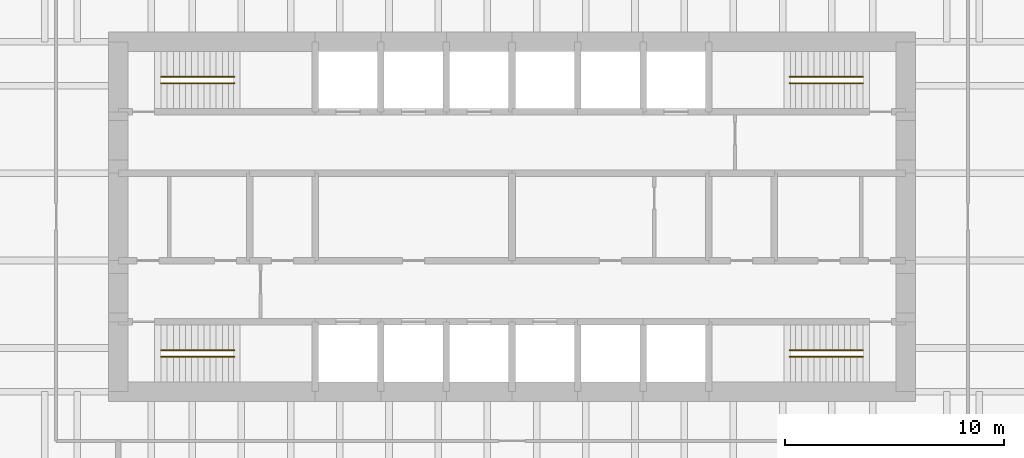
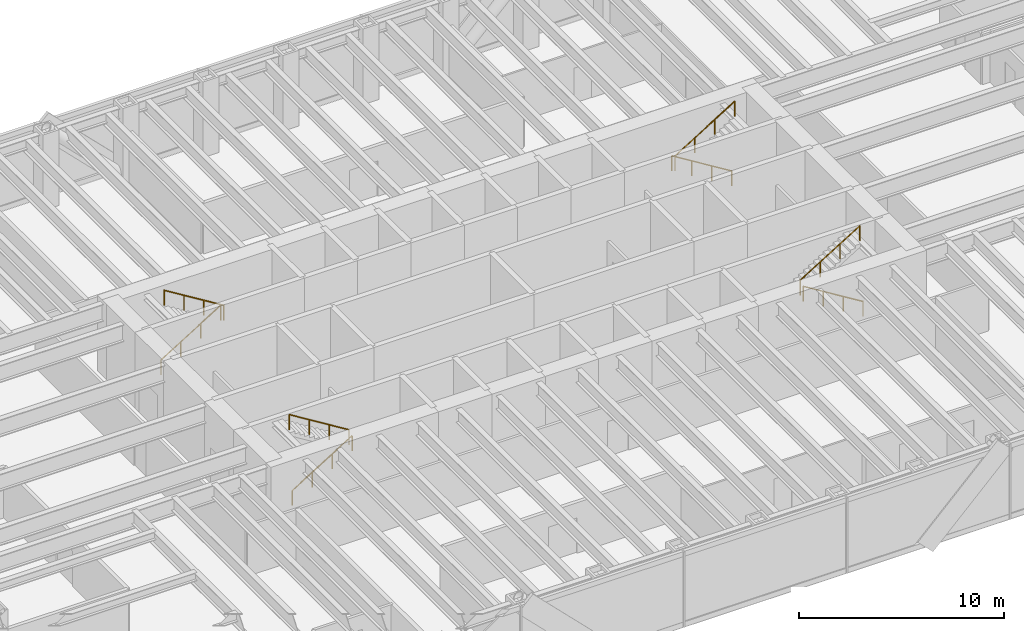
# One storey, part 13 of 13: 8 railings.
"""IFC4 building model written with IfcOpenShell, lengths in metres."""

from ifc_helpers import new_model, si_unit, direction, frame, origin, origin_2d, place, context, subcontext, project, spatial, circle, extrude, material, type_object, element, save


model = new_model("IFC4")

# Units and contexts
model_context = context("Model", 3, precision=1e-05, world=origin(), true_north=direction((0.0, 1.0)))
body_context = subcontext(model_context, "Body", "Model", "MODEL_VIEW")
ifc_project = project(units=[si_unit("LENGTHUNIT", "METRE"), si_unit("AREAUNIT", "SQUARE_METRE"), si_unit("VOLUMEUNIT", "CUBIC_METRE"), si_unit("PLANEANGLEUNIT", "RADIAN"), si_unit("MASSUNIT", "GRAM", prefix="KILO")], contexts=[model_context])

# Site, building, storey
site_placement = place(None, origin())
site = spatial("IfcSite", under=ifc_project, at=site_placement, CompositionType="ELEMENT")
building_placement = place(site_placement, origin())
building = spatial("IfcBuilding", under=site, at=building_placement, Name="Rheinbord Bourse Tower", CompositionType="ELEMENT")
storey_placement = place(building_placement, frame((0.0, 0.0, 72.5)))
storey = spatial("IfcBuildingStorey", under=building, at=storey_placement, Name="L15", CompositionType="ELEMENT", Elevation=72.5)

# Railings
ifc_material = material(Name="Steel handrail", Category="steel")
railing_type = type_object("IfcRailingType", Name="HANDRAIL 900", PredefinedType="HANDRAIL", material=ifc_material)
railing_1_placement = place(storey_placement, frame((19.949951171875, 17.60009765625, 0.173095703125)))
element("IfcRailing", 1, at=railing_1_placement, inside=storey, type_object=railing_type, Name="Handrail", PredefinedType="HANDRAIL", context=body_context, shape_type="SweptSolid", body=[
    extrude(circle(Radius=0.02392578125, at=origin_2d()), frame((0.0, 0.0, 0.8759765625), z_axis=(0.850623216509, 0.0, 0.525775754039), x_axis=(0.0, 1.0, 0.0)), (0.0, 0.0, 1.0), 3.9501953125),
    extrude(circle(Radius=0.02099609375, at=origin_2d()), origin(), (0.0, 0.0, 1.0), 0.851806640625),
    extrude(circle(Radius=0.02099609375, at=origin_2d()), frame((1.1201171875, 0.0, 0.6923828125)), (0.0, 0.0, 1.0), 0.851806640625),
    extrude(circle(Radius=0.02099609375, at=origin_2d()), frame((2.239990234375, 0.0, 1.384521484375)), (0.0, 0.0, 1.0), 0.851806640625),
    extrude(circle(Radius=0.02099609375, at=origin_2d()), frame((3.360107421875, 0.0, 2.076904296875)), (0.0, 0.0, 1.0), 0.851806640625),
])
railing_2_placement = place(storey_placement, frame((23.31005859375, 17.89990234375, 2.423095703125)))
element("IfcRailing", 2, at=railing_2_placement, inside=storey, type_object=railing_type, Name="Handrail", PredefinedType="HANDRAIL", context=body_context, shape_type="SweptSolid", body=[
    extrude(circle(Radius=0.02392578125, at=origin_2d()), frame((0.0, 0.0, 0.8759765625), z_axis=(-0.850623216509, 0.0, 0.525775754039), x_axis=(0.0, -1.0, 0.0)), (0.0, 0.0, 1.0), 3.9501953125),
    extrude(circle(Radius=0.02099609375, at=origin_2d()), origin(), (0.0, 0.0, 1.0), 0.851806640625),
    extrude(circle(Radius=0.02099609375, at=origin_2d()), frame((-1.1201171875, 0.0, 0.6923828125)), (0.0, 0.0, 1.0), 0.851806640625),
    extrude(circle(Radius=0.02099609375, at=origin_2d()), frame((-2.239990234375, 0.0, 1.384521484375)), (0.0, 0.0, 1.0), 0.851806640625),
    extrude(circle(Radius=0.02099609375, at=origin_2d()), frame((-3.360107421875, 0.0, 2.076904296875)), (0.0, 0.0, 1.0), 0.851806640625),
])
railing_3_placement = place(storey_placement, frame((19.949951171875, 30.39990234375, 0.173095703125)))
element("IfcRailing", 3, at=railing_3_placement, inside=storey, type_object=railing_type, Name="Handrail", PredefinedType="HANDRAIL", context=body_context, shape_type="SweptSolid", body=[
    extrude(circle(Radius=0.02392578125, at=origin_2d()), frame((0.0, 0.0, 0.8759765625), z_axis=(0.850623216509, 0.0, 0.525775754039), x_axis=(0.0, 1.0, 0.0)), (0.0, 0.0, 1.0), 3.9501953125),
    extrude(circle(Radius=0.02099609375, at=origin_2d()), origin(), (0.0, 0.0, 1.0), 0.851806640625),
    extrude(circle(Radius=0.02099609375, at=origin_2d()), frame((1.1201171875, 0.0, 0.6923828125)), (0.0, 0.0, 1.0), 0.851806640625),
    extrude(circle(Radius=0.02099609375, at=origin_2d()), frame((2.239990234375, 0.0, 1.384521484375)), (0.0, 0.0, 1.0), 0.851806640625),
    extrude(circle(Radius=0.02099609375, at=origin_2d()), frame((3.360107421875, 0.0, 2.076904296875)), (0.0, 0.0, 1.0), 0.851806640625),
])
for number, where, name in (
    (4, (23.31005859375, 30.10009765625, 2.423095703125), "Handrail"),
    (5, (52.050048828125, 17.60009765625, 0.173095703125), "Handrail"),
):
    element("IfcRailing", number, at=place(storey_placement, frame(where)), inside=storey, type_object=railing_type, Name=name, PredefinedType="HANDRAIL", context=body_context, shape_type="SweptSolid", body=[
        extrude(circle(Radius=0.02392578125, at=origin_2d()), frame((0.0, 0.0, 0.8759765625), z_axis=(-0.850623216509, 0.0, 0.525775754039), x_axis=(0.0, -1.0, 0.0)), (0.0, 0.0, 1.0), 3.9501953125),
        extrude(circle(Radius=0.02099609375, at=origin_2d()), origin(), (0.0, 0.0, 1.0), 0.851806640625),
        extrude(circle(Radius=0.02099609375, at=origin_2d()), frame((-1.1201171875, 0.0, 0.6923828125)), (0.0, 0.0, 1.0), 0.851806640625),
        extrude(circle(Radius=0.02099609375, at=origin_2d()), frame((-2.239990234375, 0.0, 1.384521484375)), (0.0, 0.0, 1.0), 0.851806640625),
        extrude(circle(Radius=0.02099609375, at=origin_2d()), frame((-3.360107421875, 0.0, 2.076904296875)), (0.0, 0.0, 1.0), 0.851806640625),
    ])
railing_4_placement = place(storey_placement, frame((48.68994140625, 17.89990234375, 2.423095703125)))
element("IfcRailing", 6, at=railing_4_placement, inside=storey, type_object=railing_type, Name="Handrail", PredefinedType="HANDRAIL", context=body_context, shape_type="SweptSolid", body=[
    extrude(circle(Radius=0.02392578125, at=origin_2d()), frame((0.0, 0.0, 0.8759765625), z_axis=(0.850623216509, 0.0, 0.525775754039), x_axis=(0.0, 1.0, 0.0)), (0.0, 0.0, 1.0), 3.9501953125),
    extrude(circle(Radius=0.02099609375, at=origin_2d()), origin(), (0.0, 0.0, 1.0), 0.851806640625),
    extrude(circle(Radius=0.02099609375, at=origin_2d()), frame((1.1201171875, 0.0, 0.6923828125)), (0.0, 0.0, 1.0), 0.851806640625),
    extrude(circle(Radius=0.02099609375, at=origin_2d()), frame((2.239990234375, 0.0, 1.384521484375)), (0.0, 0.0, 1.0), 0.851806640625),
    extrude(circle(Radius=0.02099609375, at=origin_2d()), frame((3.360107421875, 0.0, 2.076904296875)), (0.0, 0.0, 1.0), 0.851806640625),
])
railing_5_placement = place(storey_placement, frame((52.050048828125, 30.39990234375, 0.173095703125)))
element("IfcRailing", 7, at=railing_5_placement, inside=storey, type_object=railing_type, Name="Handrail", PredefinedType="HANDRAIL", context=body_context, shape_type="SweptSolid", body=[
    extrude(circle(Radius=0.02392578125, at=origin_2d()), frame((0.0, 0.0, 0.8759765625), z_axis=(-0.850623216509, 0.0, 0.525775754039), x_axis=(0.0, -1.0, 0.0)), (0.0, 0.0, 1.0), 3.9501953125),
    extrude(circle(Radius=0.02099609375, at=origin_2d()), origin(), (0.0, 0.0, 1.0), 0.851806640625),
    extrude(circle(Radius=0.02099609375, at=origin_2d()), frame((-1.1201171875, 0.0, 0.6923828125)), (0.0, 0.0, 1.0), 0.851806640625),
    extrude(circle(Radius=0.02099609375, at=origin_2d()), frame((-2.239990234375, 0.0, 1.384521484375)), (0.0, 0.0, 1.0), 0.851806640625),
    extrude(circle(Radius=0.02099609375, at=origin_2d()), frame((-3.360107421875, 0.0, 2.076904296875)), (0.0, 0.0, 1.0), 0.851806640625),
])
railing_6_placement = place(storey_placement, frame((48.68994140625, 30.10009765625, 2.423095703125)))
element("IfcRailing", 8, at=railing_6_placement, inside=storey, type_object=railing_type, Name="Handrail", PredefinedType="HANDRAIL", context=body_context, shape_type="SweptSolid", body=[
    extrude(circle(Radius=0.02392578125, at=origin_2d()), frame((0.0, 0.0, 0.8759765625), z_axis=(0.850623216509, 0.0, 0.525775754039), x_axis=(0.0, 1.0, 0.0)), (0.0, 0.0, 1.0), 3.9501953125),
    extrude(circle(Radius=0.02099609375, at=origin_2d()), origin(), (0.0, 0.0, 1.0), 0.851806640625),
    extrude(circle(Radius=0.02099609375, at=origin_2d()), frame((1.1201171875, 0.0, 0.6923828125)), (0.0, 0.0, 1.0), 0.851806640625),
    extrude(circle(Radius=0.02099609375, at=origin_2d()), frame((2.239990234375, 0.0, 1.384521484375)), (0.0, 0.0, 1.0), 0.851806640625),
    extrude(circle(Radius=0.02099609375, at=origin_2d()), frame((3.360107421875, 0.0, 2.076904296875)), (0.0, 0.0, 1.0), 0.851806640625),
])

save(model, "model.ifc")
